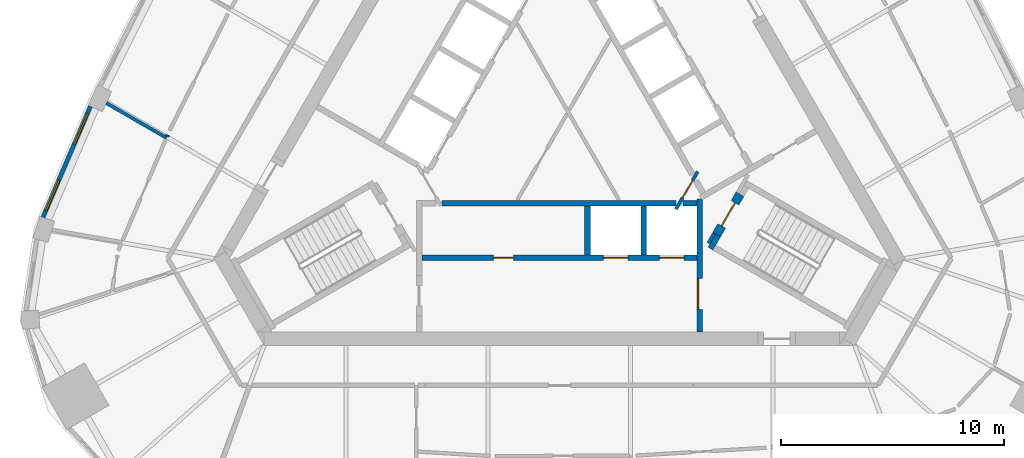
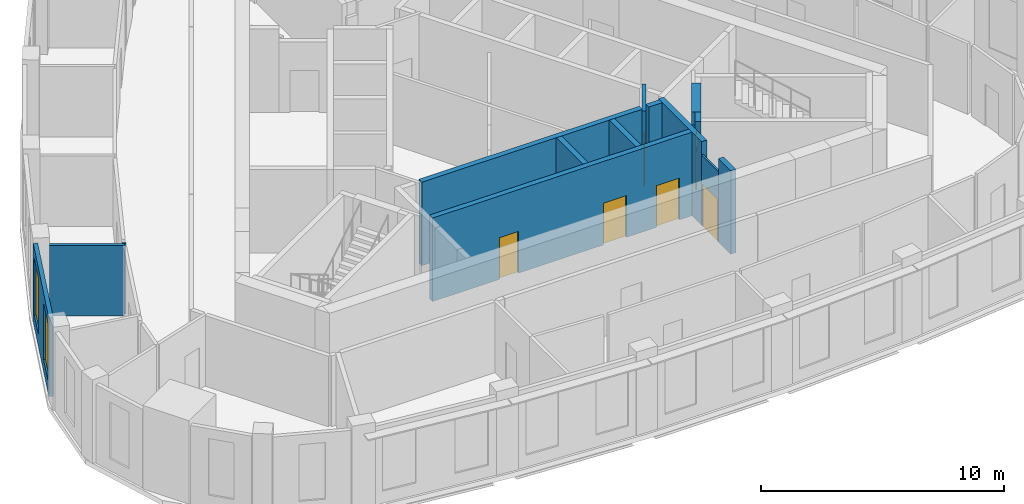
# One storey, part 4 of 10: 15 walls, 6 doors, 2 windows, 8 openings.
"""IFC4 building model written with IfcOpenShell, lengths in metres."""

from ifc_helpers import new_model, si_unit, direction, frame, frame_2d, origin, place, context, subcontext, project, spatial, rectangle, extrude, material, layer, layer_set, type_object, element, fill, save


model = new_model("IFC4")

# Units and contexts
model_context = context("Model", 3, precision=1e-05, world=origin(), true_north=direction((0.0, 1.0)))
body_context = subcontext(model_context, "Body", "Model", "MODEL_VIEW")
ifc_project = project(units=[si_unit("LENGTHUNIT", "METRE"), si_unit("AREAUNIT", "SQUARE_METRE"), si_unit("VOLUMEUNIT", "CUBIC_METRE"), si_unit("PLANEANGLEUNIT", "RADIAN"), si_unit("MASSUNIT", "GRAM", prefix="KILO")], contexts=[model_context])

# Site, building, storey
site_placement = place(None, origin())
site = spatial("IfcSite", under=ifc_project, at=site_placement, CompositionType="ELEMENT")
building_placement = place(site_placement, origin())
building = spatial("IfcBuilding", under=site, at=building_placement, Name="Mestral Congress Tower", CompositionType="ELEMENT")
storey_placement = place(building_placement, frame((0.0, 0.0, 279.60009765625)))
storey = spatial("IfcBuildingStorey", under=building, at=storey_placement, Name="L65", CompositionType="ELEMENT", Elevation=279.60009765625)

# Wall
ifc_material_1 = material(Name="Fire-rated board partition")
ifc_layer_1 = layer(ifc_material_1, 0.14990234375)
ifc_layer_set_1 = layer_set([ifc_layer_1], Name="Fire-rated board partition")
wall_type_1 = type_object("IfcWallType", Name="Core partition 150", PredefinedType="PARTITIONING", material=ifc_layer_set_1)
wall_1_placement = place(storey_placement, frame((6.94482421875, -5.22216796875, 0.0), z_axis=(0.0, 0.0, 1.0), x_axis=(-0.499818422106, -0.866130212453, 0.0)))
element("IfcWall", 1, at=wall_1_placement, inside=storey, type_object=wall_type_1, Name="L65 core wall", PredefinedType="PARTITIONING", context=body_context, shape_type="SweptSolid", body=[
    extrude(rectangle(XDim=0.513916015625, YDim=0.14990234375, at=frame_2d((0.2568359375, 0.0))), origin(), (0.0, 0.0, 1.0), 3.5498046875),
])

# Wall, opening, door
ifc_layer_2 = layer(ifc_material_1, 0.090087890625)
ifc_layer_set_2 = layer_set([ifc_layer_2], Name="Fire-rated board partition")
wall_type_2 = type_object("IfcWallType", Name="Core partition 150 door-wall 90", PredefinedType="PARTITIONING", material=ifc_layer_set_2)
wall_2_placement = place(storey_placement, frame((6.219970703125, -7.23681640625, 0.0), z_axis=(0.0, 0.0, 1.0), x_axis=(0.0, -1.0, 0.0)))
wall_2 = element("IfcWall", 2, at=wall_2_placement, inside=storey, type_object=wall_type_2, Name="L65 door wall", PredefinedType="PARTITIONING", context=body_context, shape_type="SweptSolid", body=[
    extrude(rectangle(XDim=1.400146484375, YDim=0.090087890625, at=frame_2d((0.7001953125, 0.0))), origin(), (0.0, 0.0, 1.0), 3.5498046875),
])
opening_1_placement = place(wall_2_placement, frame((0.10009765625, 0.0, 0.0)))
opening_1 = element("IfcOpeningElement", 3, at=opening_1_placement, cuts=wall_2, Name="Opening LB0-WL1", PredefinedType="OPENING", context=body_context, shape_type="SweptSolid", body=[
    extrude(rectangle(XDim=1.199951171875, YDim=2.10009765625, at=frame_2d((0.60009765625, 1.050048828125))), frame((0.0, 0.054931640625, 0.0), z_axis=(0.0, -1.0, 0.0), x_axis=(1.0, 0.0, 0.0)), (0.0, 0.0, 1.0), 0.110107421875),
])
ifc_material_2 = material(Name="Fire-rated steel door set", Category="steel")
door_type_1 = type_object("IfcDoorType", Name="Core door LB 1200x2100", OperationType="SINGLE_SWING_LEFT", PredefinedType="DOOR", material=ifc_material_2)
door_1_placement = place(opening_1_placement, origin())
door_1 = element("IfcDoor", 4, at=door_1_placement, inside=storey, type_object=door_type_1, Name="Door LB0-WL1", OperationType="SINGLE_SWING_LEFT", OverallHeight=2.10009765625, OverallWidth=1.199951171875, PredefinedType="DOOR", context=body_context, shape_type="SweptSolid", body=[
    extrude(rectangle(XDim=1.199951171875, YDim=2.10009765625, at=frame_2d((0.60009765625, 1.050048828125))), frame((0.0, 0.02490234375, 0.0), z_axis=(0.0, -1.0, 0.0), x_axis=(1.0, 0.0, 0.0)), (0.0, 0.0, 1.0), 0.050048828125),
])
fill(opening_1, door_1)

# Wall, openings, windows
ifc_material_3 = material(Name="Precast concrete C40/50 with limestone facing", Category="masonry")
ifc_layer_3 = layer(ifc_material_3, 0.18994140625)
ifc_layer_set_3 = layer_set([ifc_layer_3], Name="Precast concrete C40/50 with limestone facing")
wall_type_3 = type_object("IfcWallType", Name="Facade stone wall 190", PredefinedType="SOLIDWALL", material=ifc_layer_set_3)
wall_3_placement = place(storey_placement, frame((-21.048828125, 0.477783203125, 0.0), z_axis=(0.0, 0.0, 1.0), x_axis=(-0.393347848476, -0.919389726992, 0.0)))
wall_3 = element("IfcWall", 5, at=wall_3_placement, inside=storey, type_object=wall_type_3, Name="Facade wall F2-04", PredefinedType="SOLIDWALL", context=body_context, shape_type="SweptSolid", body=[
    extrude(rectangle(XDim=5.414794921875, YDim=0.18994140625, at=frame_2d((2.70751953125, 0.0))), origin(), (0.0, 0.0, 1.0), 3.949951171875),
])
opening_2_placement = place(wall_3_placement, frame((0.357421875, 0.0, 0.60009765625)))
opening_2 = element("IfcOpeningElement", 6, at=opening_2_placement, cuts=wall_3, Name="Opening W6", PredefinedType="OPENING", context=body_context, shape_type="SweptSolid", body=[
    extrude(rectangle(XDim=1.5, YDim=2.85009765625, at=frame_2d((0.75, 1.425048828125))), frame((0.0, 0.10498046875, 0.0), z_axis=(0.0, -1.0, 0.0), x_axis=(1.0, 0.0, 0.0)), (0.0, 0.0, 1.0), 0.2099609375),
])
opening_3_placement = place(wall_3_placement, frame((3.592529296875, 0.0, 0.60009765625)))
opening_3 = element("IfcOpeningElement", 7, at=opening_3_placement, cuts=wall_3, Name="Opening W6", PredefinedType="OPENING", context=body_context, shape_type="SweptSolid", body=[
    extrude(rectangle(XDim=1.5, YDim=2.85009765625, at=frame_2d((0.75, 1.425048828125))), frame((0.0, 0.10498046875, 0.0), z_axis=(0.0, -1.0, 0.0), x_axis=(1.0, 0.0, 0.0)), (0.0, 0.0, 1.0), 0.2099609375),
])
ifc_material_4 = material(Name="Clear low-emissivity double glazing", Category="glass")
window_type = type_object("IfcWindowType", Name="Facade punched window 1500 x 2850 sill 600", PartitioningType="SINGLE_PANEL", PredefinedType="WINDOW", material=ifc_material_4)
window_1_placement = place(opening_2_placement, origin())
window_1 = element("IfcWindow", 8, at=window_1_placement, inside=storey, type_object=window_type, Name="Window F2-04a", OverallHeight=2.85009765625, OverallWidth=1.5, PartitioningType="SINGLE_PANEL", PredefinedType="WINDOW", context=body_context, shape_type="SweptSolid", body=[
    extrude(rectangle(XDim=1.5, YDim=2.85009765625, at=frame_2d((0.75, 1.425048828125))), frame((0.0, 0.044921875, 0.0), z_axis=(0.0, -1.0, 0.0), x_axis=(1.0, 0.0, 0.0)), (0.0, 0.0, 1.0), 0.06005859375),
])
fill(opening_2, window_1)
window_2_placement = place(opening_3_placement, origin())
window_2 = element("IfcWindow", 9, at=window_2_placement, inside=storey, type_object=window_type, Name="Window F2-04b", OverallHeight=2.85009765625, OverallWidth=1.5, PartitioningType="SINGLE_PANEL", PredefinedType="WINDOW", context=body_context, shape_type="SweptSolid", body=[
    extrude(rectangle(XDim=1.5, YDim=2.85009765625, at=frame_2d((0.75, 1.425048828125))), frame((0.0, 0.044921875, 0.0), z_axis=(0.0, -1.0, 0.0), x_axis=(1.0, 0.0, 0.0)), (0.0, 0.0, 1.0), 0.06005859375),
])
fill(opening_3, window_2)

# Walls
ifc_material_5 = material(Name="Plasterboard partition on steel studs", Category="steel")
ifc_layer_4 = layer(ifc_material_5, 0.14990234375)
ifc_layer_set_4 = layer_set([ifc_layer_4], Name="Plasterboard partition on steel studs")
wall_type_4 = type_object("IfcWallType", Name="Office partition 150", PredefinedType="PARTITIONING", material=ifc_layer_set_4)
wall_4_placement = place(storey_placement, frame((-17.634521484375, -0.935546875, 0.0), z_axis=(0.0, 0.0, 1.0), x_axis=(-0.866044607523, 0.499966736674, 0.0)))
element("IfcWall", 10, at=wall_4_placement, inside=storey, type_object=wall_type_4, Name="Partition", PredefinedType="PARTITIONING", context=body_context, shape_type="SweptSolid", body=[
    extrude(rectangle(XDim=3.114501953125, YDim=0.14990234375, at=frame_2d((1.55712890625, 0.0))), origin(), (0.0, 0.0, 1.0), 3.5498046875),
])
wall_5_placement = place(storey_placement, frame((-17.5810546875, -0.810302734375, 0.0), z_axis=(0.0, 0.0, 1.0), x_axis=(-0.390033474923, -0.92080067791, 0.0)))
element("IfcWall", 11, at=wall_5_placement, inside=storey, type_object=wall_type_4, Name="Partition", PredefinedType="PARTITIONING", context=body_context, shape_type="SweptSolid", body=[
    extrude(rectangle(XDim=0.060791015625, YDim=0.14990234375, at=frame_2d((0.0302734375, 0.0))), origin(), (0.0, 0.0, 1.0), 3.5498046875),
])
ifc_material_6 = material(Name="Concrete C60/75", Category="concrete")
ifc_layer_5 = layer(ifc_material_6, 0.25)
ifc_layer_set_5 = layer_set([ifc_layer_5], Name="Concrete C60/75")
wall_type_5 = type_object("IfcWallType", Name="Shaft wall RC 250", PredefinedType="SOLIDWALL", material=ifc_layer_set_5)
wall_6_placement = place(storey_placement, frame((6.300048828125, -7.239990234375, 0.0), z_axis=(0.0, 0.0, 1.0), x_axis=(0.0, 1.0, 0.0)))
element("IfcWall", 12, at=wall_6_placement, inside=storey, type_object=wall_type_5, Name="L65 core wall", PredefinedType="SOLIDWALL", context=body_context, shape_type="SweptSolid", body=[
    extrude(rectangle(XDim=3.55615234375, YDim=0.25, at=frame_2d((1.778076171875, 0.0))), origin(), (0.0, 0.0, 1.0), 4.199951171875),
])
wall_7_placement = place(storey_placement, frame((6.300048828125, -9.64990234375, 0.0), z_axis=(0.0, 0.0, 1.0), x_axis=(0.0, 1.0, 0.0)))
element("IfcWall", 13, at=wall_7_placement, inside=storey, type_object=wall_type_5, Name="L65 core wall", PredefinedType="SOLIDWALL", context=body_context, shape_type="SweptSolid", body=[
    extrude(rectangle(XDim=1.0078125, YDim=0.25, at=frame_2d((0.50390625, 0.0))), origin(), (0.0, 0.0, 1.0), 4.199951171875),
])
wall_8_placement = place(storey_placement, frame((5.538330078125, -3.875, 0.0), z_axis=(0.0, 0.0, 1.0), x_axis=(1.0, 0.0, 0.0)))
element("IfcWall", 14, at=wall_8_placement, inside=storey, type_object=wall_type_5, Name="L65 core wall", PredefinedType="SOLIDWALL", context=body_context, shape_type="SweptSolid", body=[
    extrude(rectangle(XDim=0.63671875, YDim=0.25, at=frame_2d((0.318359375, 0.0))), origin(), (0.0, 0.0, 1.0), 4.199951171875),
])
wall_9_placement = place(storey_placement, frame((-5.25927734375, -3.875, 0.0), z_axis=(0.0, 0.0, 1.0), x_axis=(1.0, 0.0, 0.0)))
element("IfcWall", 15, at=wall_9_placement, inside=storey, type_object=wall_type_5, Name="L65 core wall", PredefinedType="SOLIDWALL", context=body_context, shape_type="SweptSolid", body=[
    extrude(rectangle(XDim=10.488525390625, YDim=0.25, at=frame_2d((5.244140625, 0.0))), origin(), (0.0, 0.0, 1.0), 4.199951171875),
])
for number, where, z_axis, x_axis, name in (
    (16, (1.260009765625, -4.0, 0.0), (0.0, 0.0, 1.0), (0.0, -1.0, 0.0), "L65 core wall"),
    (17, (3.780029296875, -4.0, 0.0), (0.0, 0.0, 1.0), (0.0, -1.0, 0.0), "L65 core wall"),
):
    element("IfcWall", number, at=place(storey_placement, frame(where, z_axis=z_axis, x_axis=x_axis)), inside=storey, type_object=wall_type_5, Name=name, PredefinedType="SOLIDWALL", context=body_context, shape_type="SweptSolid", body=[
        extrude(rectangle(XDim=2.199951171875, YDim=0.25, at=frame_2d((1.10009765625, 0.0))), origin(), (0.0, 0.0, 1.0), 4.199951171875),
    ])

# Wall, openings, doors
wall_10_placement = place(storey_placement, frame((-6.175048828125, -6.324951171875, 0.0), z_axis=(0.0, 0.0, 1.0), x_axis=(1.0, 0.0, 0.0)))
wall_10 = element("IfcWall", 18, at=wall_10_placement, inside=storey, type_object=wall_type_5, Name="L65 door wall", PredefinedType="SOLIDWALL", context=body_context, shape_type="SweptSolid", body=[
    extrude(rectangle(XDim=12.35009765625, YDim=0.25, at=frame_2d((6.175048828125, 0.0))), origin(), (0.0, 0.0, 1.0), 4.199951171875),
])
opening_4_placement = place(wall_10_placement, frame((3.205078125, 0.0, 0.0)))
opening_4 = element("IfcOpeningElement", 19, at=opening_4_placement, cuts=wall_10, Name="Opening SR-SOB1", PredefinedType="OPENING", context=body_context, shape_type="SweptSolid", body=[
    extrude(rectangle(XDim=0.89990234375, YDim=2.10009765625, at=frame_2d((0.449951171875, 1.050048828125))), frame((0.0, 0.135009765625, 0.0), z_axis=(0.0, -1.0, 0.0), x_axis=(1.0, 0.0, 0.0)), (0.0, 0.0, 1.0), 0.27001953125),
])
opening_5_placement = place(wall_10_placement, frame((8.14501953125, 0.0, 0.0)))
opening_5 = element("IfcOpeningElement", 20, at=opening_5_placement, cuts=wall_10, Name="Opening LD-SOB4", PredefinedType="OPENING", context=body_context, shape_type="SweptSolid", body=[
    extrude(rectangle(XDim=1.10009765625, YDim=2.10009765625, at=frame_2d((0.550048828125, 1.050048828125))), frame((0.0, 0.135009765625, 0.0), z_axis=(0.0, -1.0, 0.0), x_axis=(1.0, 0.0, 0.0)), (0.0, 0.0, 1.0), 0.27001953125),
])
opening_6_placement = place(wall_10_placement, frame((10.6650390625, 0.0, 0.0)))
opening_6 = element("IfcOpeningElement", 21, at=opening_6_placement, cuts=wall_10, Name="Opening LD-SOB5", PredefinedType="OPENING", context=body_context, shape_type="SweptSolid", body=[
    extrude(rectangle(XDim=1.10009765625, YDim=2.10009765625, at=frame_2d((0.550048828125, 1.050048828125))), frame((0.0, 0.135009765625, 0.0), z_axis=(0.0, -1.0, 0.0), x_axis=(1.0, 0.0, 0.0)), (0.0, 0.0, 1.0), 0.27001953125),
])
door_type_2 = type_object("IfcDoorType", Name="Core door LD 1100x2100", OperationType="DOUBLE_DOOR_SLIDING", PredefinedType="DOOR", material=ifc_material_2)
door_2_placement = place(opening_5_placement, origin())
door_2 = element("IfcDoor", 22, at=door_2_placement, inside=storey, type_object=door_type_2, Name="Door LD-SOB4", OperationType="DOUBLE_DOOR_SLIDING", OverallHeight=2.10009765625, OverallWidth=1.10009765625, PredefinedType="DOOR", context=body_context, shape_type="SweptSolid", body=[
    extrude(rectangle(XDim=1.10009765625, YDim=2.10009765625, at=frame_2d((0.550048828125, 1.050048828125))), frame((0.0, 0.02490234375, 0.0), z_axis=(0.0, -1.0, 0.0), x_axis=(1.0, 0.0, 0.0)), (0.0, 0.0, 1.0), 0.050048828125),
])
fill(opening_5, door_2)
door_3_placement = place(opening_6_placement, origin())
door_3 = element("IfcDoor", 23, at=door_3_placement, inside=storey, type_object=door_type_2, Name="Door LD-SOB5", OperationType="DOUBLE_DOOR_SLIDING", OverallHeight=2.10009765625, OverallWidth=1.10009765625, PredefinedType="DOOR", context=body_context, shape_type="SweptSolid", body=[
    extrude(rectangle(XDim=1.10009765625, YDim=2.10009765625, at=frame_2d((0.550048828125, 1.050048828125))), frame((0.0, 0.02490234375, 0.0), z_axis=(0.0, -1.0, 0.0), x_axis=(1.0, 0.0, 0.0)), (0.0, 0.0, 1.0), 0.050048828125),
])
fill(opening_6, door_3)
door_type_3 = type_object("IfcDoorType", Name="Core door SR 900x2100", OperationType="SINGLE_SWING_LEFT", PredefinedType="DOOR", material=ifc_material_2)
door_4_placement = place(opening_4_placement, origin())
door_4 = element("IfcDoor", 24, at=door_4_placement, inside=storey, type_object=door_type_3, Name="Door SR-SOB1", OperationType="SINGLE_SWING_LEFT", OverallHeight=2.10009765625, OverallWidth=0.89990234375, PredefinedType="DOOR", context=body_context, shape_type="SweptSolid", body=[
    extrude(rectangle(XDim=0.89990234375, YDim=2.10009765625, at=frame_2d((0.449951171875, 1.050048828125))), frame((0.0, 0.02490234375, 0.0), z_axis=(0.0, -1.0, 0.0), x_axis=(1.0, 0.0, 0.0)), (0.0, 0.0, 1.0), 0.050048828125),
])
fill(opening_4, door_4)

# Wall, opening, door
ifc_layer_6 = layer(ifc_material_6, 0.14990234375)
ifc_layer_set_6 = layer_set([ifc_layer_6], Name="Concrete C60/75")
wall_type_6 = type_object("IfcWallType", Name="Shaft wall RC 250 door-wall 150", PredefinedType="SOLIDWALL", material=ifc_layer_set_6)
wall_11_placement = place(storey_placement, frame((6.203369140625, -2.45556640625, 0.0), z_axis=(0.0, 0.0, 1.0), x_axis=(-0.500043961785, -0.866000020948, 0.0)))
wall_11 = element("IfcWall", 25, at=wall_11_placement, inside=storey, type_object=wall_type_6, Name="L65 door wall", PredefinedType="PARTITIONING", context=body_context, shape_type="SweptSolid", body=[
    extrude(rectangle(XDim=1.949951171875, YDim=0.14990234375, at=frame_2d((0.97509765625, 0.0))), origin(), (0.0, 0.0, 1.0), 4.199951171875),
])
opening_7_placement = place(wall_11_placement, frame((0.449951171875, 0.0, 0.0)))
opening_7 = element("IfcOpeningElement", 26, at=opening_7_placement, cuts=wall_11, Name="Opening CD1-HUB0", PredefinedType="OPENING", context=body_context, shape_type="SweptSolid", body=[
    extrude(rectangle(XDim=0.89990234375, YDim=2.10009765625, at=frame_2d((0.449951171875, 1.050048828125))), frame((0.0, 0.0849609375, 0.0), z_axis=(0.0, -1.0, 0.0), x_axis=(1.0, 0.0, 0.0)), (0.0, 0.0, 1.0), 0.169921875),
])
door_type_4 = type_object("IfcDoorType", Name="Core door CD 900x2100", OperationType="SINGLE_SWING_LEFT", PredefinedType="DOOR", material=ifc_material_2)
door_5_placement = place(opening_7_placement, origin())
door_5 = element("IfcDoor", 27, at=door_5_placement, inside=storey, type_object=door_type_4, Name="Door CD1-HUB0", OperationType="SINGLE_SWING_LEFT", OverallHeight=2.10009765625, OverallWidth=0.89990234375, PredefinedType="DOOR", context=body_context, shape_type="SweptSolid", body=[
    extrude(rectangle(XDim=0.89990234375, YDim=2.10009765625, at=frame_2d((0.449951171875, 1.050048828125))), frame((0.0, 0.02490234375, 0.0), z_axis=(0.0, -1.0, 0.0), x_axis=(1.0, 0.0, 0.0)), (0.0, 0.0, 1.0), 0.050048828125),
])
fill(opening_7, door_5)

# Wall
ifc_layer_7 = layer(ifc_material_6, 0.25)
ifc_layer_set_7 = layer_set([ifc_layer_7], Name="Concrete C60/75")
wall_type_7 = type_object("IfcWallType", Name="Stair wall RC 250", PredefinedType="SOLIDWALL", material=ifc_layer_set_7)
wall_12_placement = place(storey_placement, frame((6.780029296875, -5.906494140625, 0.0), z_axis=(0.0, 0.0, 1.0), x_axis=(0.500223362819, 0.865896406789, 0.0)))
element("IfcWall", 28, at=wall_12_placement, inside=storey, type_object=wall_type_7, Name="L65 core wall", PredefinedType="SOLIDWALL", context=body_context, shape_type="SweptSolid", body=[
    extrude(rectangle(XDim=0.675048828125, YDim=0.25, at=frame_2d((0.33740234375, 0.0))), origin(), (0.0, 0.0, 1.0), 4.199951171875),
])

# Wall, opening, door
ifc_layer_8 = layer(ifc_material_6, 0.39990234375)
ifc_layer_set_8 = layer_set([ifc_layer_8], Name="Concrete C60/75")
wall_type_8 = type_object("IfcWallType", Name="Stair wall RC 250 door-wall 400", PredefinedType="SOLIDWALL", material=ifc_layer_set_8)
wall_13_placement = place(storey_placement, frame((7.052734375, -5.2841796875, 0.0), z_axis=(0.0, 0.0, 1.0), x_axis=(0.500078061341, 0.865980330357, 0.0)))
wall_13 = element("IfcWall", 29, at=wall_13_placement, inside=storey, type_object=wall_type_8, Name="L65 door wall", PredefinedType="SOLIDWALL", context=body_context, shape_type="SweptSolid", body=[
    extrude(rectangle(XDim=2.099853515625, YDim=0.39990234375, at=frame_2d((1.0498046875, 0.0))), origin(), (0.0, 0.0, 1.0), 4.199951171875),
])
opening_8_placement = place(wall_13_placement, frame((0.449951171875, 0.0, 0.0)))
opening_8 = element("IfcOpeningElement", 30, at=opening_8_placement, cuts=wall_13, Name="Opening ST-D1", PredefinedType="OPENING", context=body_context, shape_type="SweptSolid", body=[
    extrude(rectangle(XDim=1.199951171875, YDim=2.10009765625, at=frame_2d((0.60009765625, 1.050048828125))), frame((0.0, 0.2099609375, 0.0), z_axis=(0.0, -1.0, 0.0), x_axis=(1.0, 0.0, 0.0)), (0.0, 0.0, 1.0), 0.419921875),
])
door_type_5 = type_object("IfcDoorType", Name="Core door ST 1200x2100", OperationType="SINGLE_SWING_LEFT", PredefinedType="DOOR", material=ifc_material_2)
door_6_placement = place(opening_8_placement, origin())
door_6 = element("IfcDoor", 31, at=door_6_placement, inside=storey, type_object=door_type_5, Name="Door ST-D1", OperationType="SINGLE_SWING_LEFT", OverallHeight=2.10009765625, OverallWidth=1.199951171875, PredefinedType="DOOR", context=body_context, shape_type="SweptSolid", body=[
    extrude(rectangle(XDim=1.199951171875, YDim=2.10009765625, at=frame_2d((0.60009765625, 1.050048828125))), frame((0.0, 0.02490234375, 0.0), z_axis=(0.0, -1.0, 0.0), x_axis=(1.0, 0.0, 0.0)), (0.0, 0.0, 1.0), 0.050048828125),
])
fill(opening_8, door_6)

save(model, "model.ifc")
